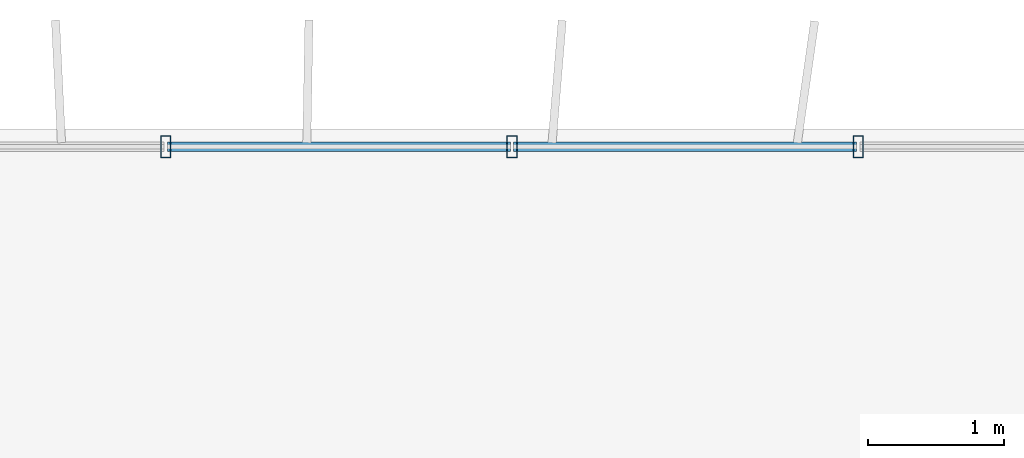
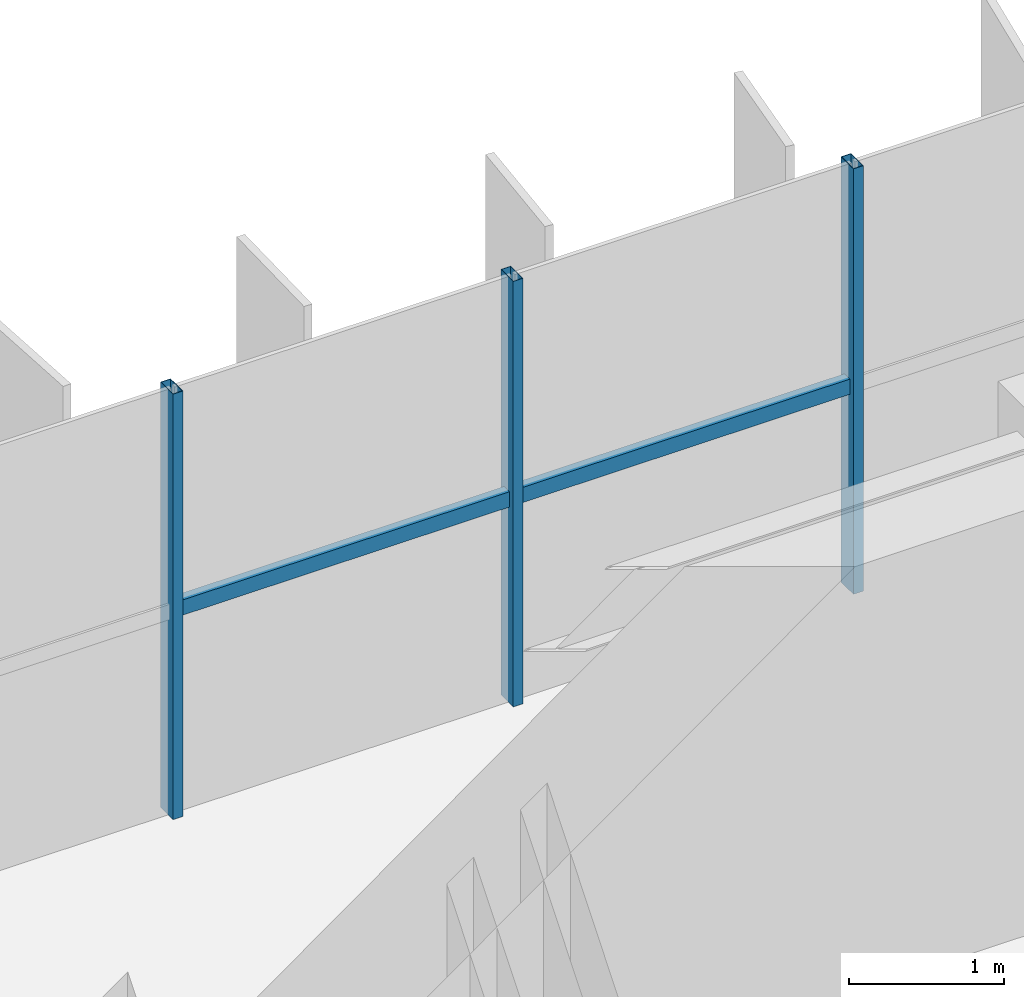
# One storey, part 8 of 23: 5 members, 1 element without a shape of its own.
"""IFC4 building model written with IfcOpenShell, lengths in metres."""

from ifc_helpers import new_model, si_unit, direction, frame, origin, origin_2d, place, context, subcontext, project, spatial, hollow_rectangle, extrude, source, transform, mapped, material, material_profile, profile_set, type_object, element, aggregate, save


model = new_model("IFC4")

# Units and contexts
model_context = context("Model", 3, precision=1e-05, world=origin(), true_north=direction((0.0, 1.0)))
body_context = subcontext(model_context, "Body", "Model", "MODEL_VIEW")
ifc_project = project(units=[si_unit("LENGTHUNIT", "METRE"), si_unit("AREAUNIT", "SQUARE_METRE"), si_unit("VOLUMEUNIT", "CUBIC_METRE"), si_unit("PLANEANGLEUNIT", "RADIAN"), si_unit("MASSUNIT", "GRAM", prefix="KILO")], contexts=[model_context])

# Site, building, storey
site_placement = place(None, origin())
site = spatial("IfcSite", under=ifc_project, at=site_placement, CompositionType="ELEMENT")
building_placement = place(site_placement, origin())
building = spatial("IfcBuilding", under=site, at=building_placement, Name="Trelvane Seafront Commons", CompositionType="ELEMENT")
storey_placement = place(building_placement, frame((0.0, 0.0, 212.10009765625)))
storey = spatial("IfcBuildingStorey", under=building, at=storey_placement, Name="L55", CompositionType="ELEMENT", Elevation=212.10009765625)

# Curtain wall, members
ifc_material = material(Name="Anodised pale-silver aluminium", Category="aluminium")
curtain_wall_type = type_object("IfcCurtainWallType", Name="ARCH-CW5-UPTOWER", PredefinedType="NOTDEFINED", material=ifc_material)
curtain_wall_placement = place(storey_placement, origin())
curtain_wall = element("IfcCurtainWall", 1, at=curtain_wall_placement, inside=storey, type_object=curtain_wall_type, Name="CW-L55-0098", PredefinedType="NOTDEFINED")
ifc_material_profile_1 = material_profile(ifc_material, hollow_rectangle(XDim=0.070068359375, YDim=0.1201171875, WallThickness=0.00390625, at=origin_2d()), Name="TRAN-70x120x4")
ifc_profile_set_1 = profile_set([ifc_material_profile_1], Name="Anodised pale-silver aluminium")
member_type_1 = type_object("IfcMemberType", Name="ARCH-CW-TRAN-120", PredefinedType="USERDEFINED", material=ifc_profile_set_1)
shared_shape_1 = source(origin(), body_context, "Body", "SweptSolid", [
    extrude(hollow_rectangle(XDim=0.070068359375, YDim=0.1201171875, WallThickness=0.00390625, at=origin_2d()), origin(), (0.0, 0.0, 1.0), 2.517333984375),
])
member_1_placement = place(storey_placement, frame((25.776611328125, 48.3701171875, 1.61279296875), z_axis=(1.0, 0.0, 0.0), x_axis=(0.0, 1.0, 0.0)))
member_1 = element("IfcMember", 2, at=member_1_placement, type_object=member_type_1, Name="CW-L55-0098-T04", ObjectType="TRANSOM", PredefinedType="USERDEFINED", context=body_context, shape_type="MappedRepresentation", body=[
    mapped(shared_shape_1, transform((0.0, 0.0, 0.0), x_axis=(1.0, 0.0, 0.0), y_axis=(0.0, 1.0, 0.0), z_axis=(0.0, 0.0, 1.0), scale=1.0)),
])
member_2_placement = place(storey_placement, frame((28.31787109375, 48.3701171875, 1.61279296875), z_axis=(1.0, 0.0, 0.0), x_axis=(0.0, 1.0, 0.0)))
member_2 = element("IfcMember", 3, at=member_2_placement, type_object=member_type_1, Name="CW-L55-0098-T05", ObjectType="TRANSOM", PredefinedType="USERDEFINED", context=body_context, shape_type="MappedRepresentation", body=[
    mapped(shared_shape_1, transform((0.0, 0.0, 0.0), x_axis=(1.0, 0.0, 0.0), y_axis=(0.0, 1.0, 0.0), z_axis=(0.0, 0.0, 1.0), scale=1.0)),
])
ifc_material_profile_2 = material_profile(ifc_material, hollow_rectangle(XDim=0.074951171875, YDim=0.159912109375, WallThickness=0.00390625, at=origin_2d()), Name="MULL-75x160x4")
ifc_profile_set_2 = profile_set([ifc_material_profile_2], Name="Anodised pale-silver aluminium")
member_type_2 = type_object("IfcMemberType", Name="ARCH-CW-MULL-160", PredefinedType="MULLION", material=ifc_profile_set_2)
shared_shape_2 = source(origin(), body_context, "Body", "SweptSolid", [
    extrude(hollow_rectangle(XDim=0.074951171875, YDim=0.159912109375, WallThickness=0.00390625, at=origin_2d()), origin(), (0.0, 0.0, 1.0), 3.35986328125),
])
member_3_placement = place(storey_placement, frame((25.7646484375, 48.3701171875, 0.0), z_axis=(0.0, 0.0, 1.0), x_axis=(1.0, 0.0, 0.0)))
member_3 = element("IfcMember", 4, at=member_3_placement, type_object=member_type_2, Name="CW-L55-0098-M04", PredefinedType="MULLION", context=body_context, shape_type="MappedRepresentation", body=[
    mapped(shared_shape_2, transform((0.0, 0.0, 0.0), x_axis=(1.0, 0.0, 0.0), y_axis=(0.0, 1.0, 0.0), z_axis=(0.0, 0.0, 1.0), scale=1.0)),
])
member_4_placement = place(storey_placement, frame((28.305908203125, 48.3701171875, 0.0), z_axis=(0.0, 0.0, 1.0), x_axis=(1.0, 0.0, 0.0)))
member_4 = element("IfcMember", 5, at=member_4_placement, type_object=member_type_2, Name="CW-L55-0098-M05", PredefinedType="MULLION", context=body_context, shape_type="MappedRepresentation", body=[
    mapped(shared_shape_2, transform((0.0, 0.0, 0.0), x_axis=(1.0, 0.0, 0.0), y_axis=(0.0, 1.0, 0.0), z_axis=(0.0, 0.0, 1.0), scale=1.0)),
])
member_5_placement = place(storey_placement, frame((30.84716796875, 48.3701171875, 0.0), z_axis=(0.0, 0.0, 1.0), x_axis=(1.0, 0.0, 0.0)))
member_5 = element("IfcMember", 6, at=member_5_placement, type_object=member_type_2, Name="CW-L55-0098-M06", PredefinedType="MULLION", context=body_context, shape_type="MappedRepresentation", body=[
    mapped(shared_shape_2, transform((0.0, 0.0, 0.0), x_axis=(1.0, 0.0, 0.0), y_axis=(0.0, 1.0, 0.0), z_axis=(0.0, 0.0, 1.0), scale=1.0)),
])
aggregate(curtain_wall, [member_3, member_4, member_5, member_1, member_2])

save(model, "model.ifc")
